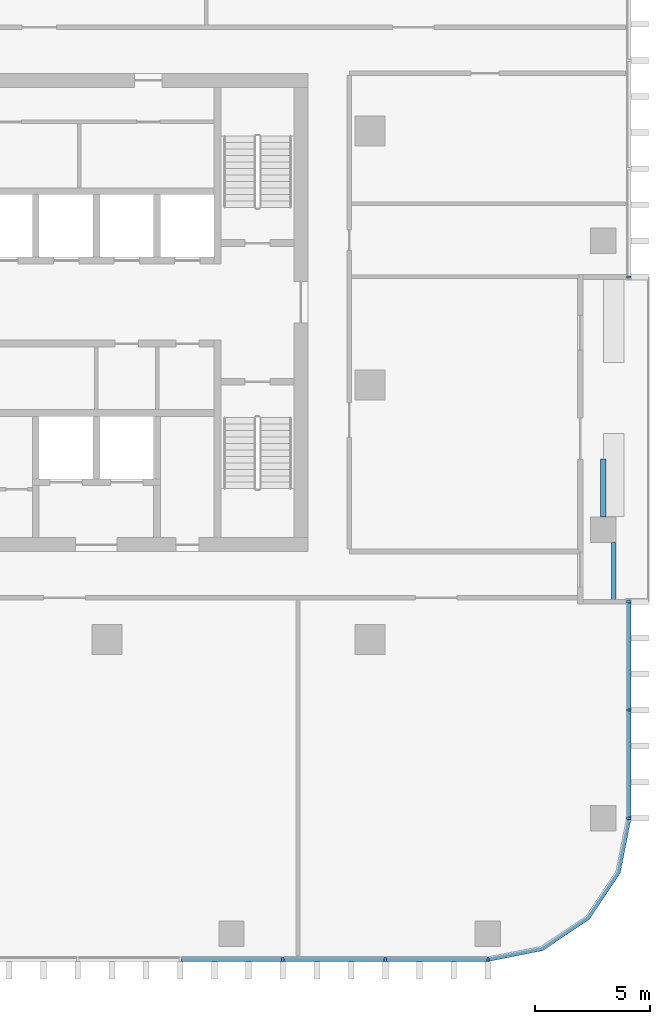
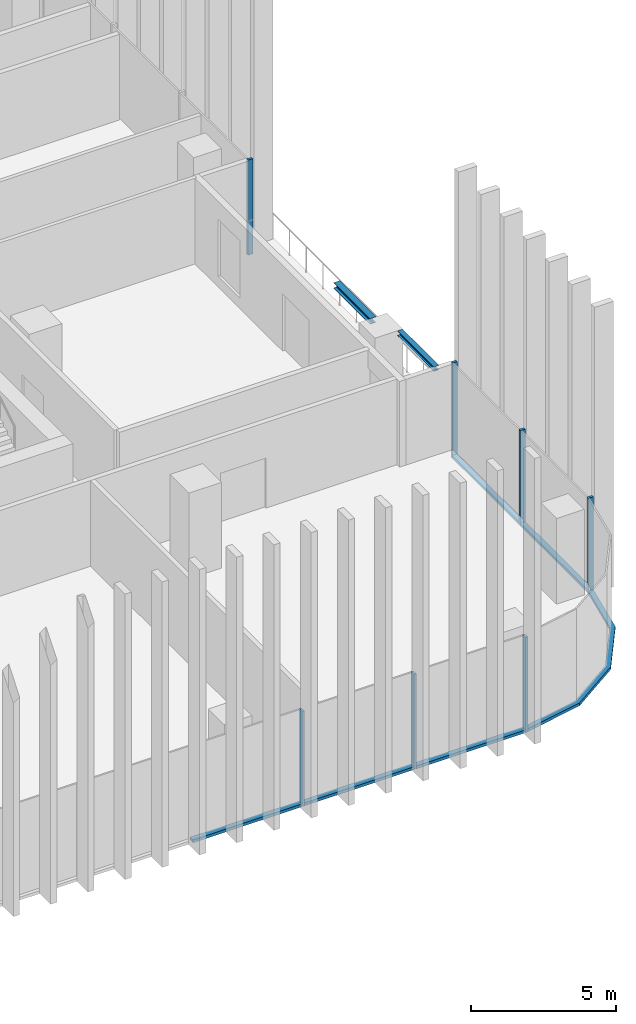
# One storey, part 3 of 15: 13 members, 2 beams, 4 elements without a shape of their own.
"""IFC4 building model written with IfcOpenShell, lengths in metres."""

from ifc_helpers import new_model, si_unit, direction, frame, origin, origin_2d, place, context, subcontext, project, spatial, polyline, rectangle, i_section, outline, extrude, material, material_profile, profile_set, type_object, element, aggregate, save


model = new_model("IFC4")

# Units and contexts
model_context = context("Model", 3, precision=1e-05, world=origin(), true_north=direction((0.0, 1.0)))
body_context = subcontext(model_context, "Body", "Model", "MODEL_VIEW")
ifc_project = project(units=[si_unit("LENGTHUNIT", "METRE"), si_unit("AREAUNIT", "SQUARE_METRE"), si_unit("VOLUMEUNIT", "CUBIC_METRE"), si_unit("PLANEANGLEUNIT", "RADIAN"), si_unit("MASSUNIT", "GRAM", prefix="KILO")], contexts=[model_context])

# Site, building, storey
site_placement = place(None, origin())
site = spatial("IfcSite", under=ifc_project, at=site_placement, CompositionType="ELEMENT")
building_placement = place(site_placement, origin())
building = spatial("IfcBuilding", under=site, at=building_placement, Name="Mopane Tessera Tower", CompositionType="ELEMENT")
storey_placement = place(building_placement, frame((0.0, 0.0, 223.0)))
storey = spatial("IfcBuildingStorey", under=building, at=storey_placement, Name="L47", CompositionType="ELEMENT", Elevation=223.0)

# Curtain wall, members
ifc_material_1 = material(Name="Aluminium frame", Category="aluminium")
curtain_wall_type = type_object("IfcCurtainWallType", Name="Unitised curtain wall", PredefinedType="NOTDEFINED", material=ifc_material_1)
curtain_wall_1_placement = place(storey_placement, origin())
curtain_wall_1 = element("IfcCurtainWall", 1, at=curtain_wall_1_placement, inside=storey, type_object=curtain_wall_type, Name="e:cw:L47:S:4", PredefinedType="NOTDEFINED")
ifc_material_2 = material(Name="Aluminium frame", Category="aluminium")
ifc_material_profile_1 = material_profile(ifc_material_2, rectangle(XDim=0.10009765625, YDim=0.199951171875, at=origin_2d()))
ifc_profile_set_1 = profile_set([ifc_material_profile_1], Name="Aluminium frame")
member_type_1 = type_object("IfcMemberType", Name="Aluminium mullion 100 x 200", PredefinedType="MULLION", material=ifc_profile_set_1)
member_1_placement = place(storey_placement, frame((13.320068359375, -24.85009765625, -0.39990234375), z_axis=(0.0, 0.0, 1.0), x_axis=(1.0, 0.0, 0.0)))
member_1 = element("IfcMember", 2, at=member_1_placement, type_object=member_type_1, Name="e:cw:L47:S:4:mu8", PredefinedType="MULLION", context=body_context, shape_type="SweptSolid", body=[
    extrude(rectangle(XDim=0.10009765625, YDim=0.199951171875, at=origin_2d()), origin(), (0.0, 0.0, 1.0), 4.0),
])
member_2_placement = place(storey_placement, frame((17.760009765625, -24.85009765625, -0.39990234375), z_axis=(0.0, 0.0, 1.0), x_axis=(1.0, 0.0, 0.0)))
member_2 = element("IfcMember", 3, at=member_2_placement, type_object=member_type_1, Name="e:cw:L47:S:4:mu9", PredefinedType="MULLION", context=body_context, shape_type="SweptSolid", body=[
    extrude(rectangle(XDim=0.10009765625, YDim=0.199951171875, at=origin_2d()), origin(), (0.0, 0.0, 1.0), 4.0),
])
member_3_placement = place(storey_placement, frame((22.199951171875, -24.85009765625, -0.39990234375), z_axis=(0.0, 0.0, 1.0), x_axis=(1.0, 0.0, 0.0)))
member_3 = element("IfcMember", 4, at=member_3_placement, type_object=member_type_1, Name="e:cw:L47:S:4:mu10", PredefinedType="MULLION", context=body_context, shape_type="SweptSolid", body=[
    extrude(rectangle(XDim=0.10009765625, YDim=0.199951171875, at=origin_2d()), origin(), (0.0, 0.0, 1.0), 4.0),
])

curtain_wall_2_placement = place(storey_placement, origin())
curtain_wall_2 = element("IfcCurtainWall", 5, at=curtain_wall_2_placement, inside=storey, type_object=curtain_wall_type, Name="e:cw:L47:E:0", PredefinedType="NOTDEFINED")
member_4_placement = place(storey_placement, frame((28.300048828125, -18.75, -0.39990234375), z_axis=(0.0, 0.0, 1.0), x_axis=(0.0, 1.0, 0.0)))
member_4 = element("IfcMember", 6, at=member_4_placement, type_object=member_type_1, Name="e:cw:L47:E:0:mu0", PredefinedType="MULLION", context=body_context, shape_type="SweptSolid", body=[
    extrude(rectangle(XDim=0.10009765625, YDim=0.199951171875, at=origin_2d()), origin(), (0.0, 0.0, 1.0), 4.0),
])
member_5_placement = place(storey_placement, frame((28.300048828125, -14.0625, -0.39990234375), z_axis=(0.0, 0.0, 1.0), x_axis=(0.0, 1.0, 0.0)))
member_5 = element("IfcMember", 7, at=member_5_placement, type_object=member_type_1, Name="e:cw:L47:E:0:mu1", PredefinedType="MULLION", context=body_context, shape_type="SweptSolid", body=[
    extrude(rectangle(XDim=0.10009765625, YDim=0.199951171875, at=origin_2d()), origin(), (0.0, 0.0, 1.0), 4.0),
])
member_6_placement = place(storey_placement, frame((28.300048828125, -9.375, -0.39990234375), z_axis=(0.0, 0.0, 1.0), x_axis=(0.0, 1.0, 0.0)))
member_6 = element("IfcMember", 8, at=member_6_placement, type_object=member_type_1, Name="e:cw:L47:E:0:mu2", PredefinedType="MULLION", context=body_context, shape_type="SweptSolid", body=[
    extrude(rectangle(XDim=0.10009765625, YDim=0.199951171875, at=origin_2d()), origin(), (0.0, 0.0, 1.0), 4.0),
])

# Curtain wall, member
curtain_wall_3_placement = place(storey_placement, origin())
curtain_wall_3 = element("IfcCurtainWall", 9, at=curtain_wall_3_placement, inside=storey, type_object=curtain_wall_type, Name="e:cw:L47:E:5", PredefinedType="NOTDEFINED")
member_7_placement = place(storey_placement, frame((28.300048828125, 4.6875, -0.39990234375), z_axis=(0.0, 0.0, 1.0), x_axis=(0.0, 1.0, 0.0)))
member_7 = element("IfcMember", 10, at=member_7_placement, type_object=member_type_1, Name="e:cw:L47:E:5:mu5", PredefinedType="MULLION", context=body_context, shape_type="SweptSolid", body=[
    extrude(rectangle(XDim=0.10009765625, YDim=0.199951171875, at=origin_2d()), origin(), (0.0, 0.0, 1.0), 4.0),
])
aggregate(curtain_wall_3, [member_7])

# Member
ifc_material_3 = material(Name="Aluminium frame", Category="aluminium")
ifc_material_profile_2 = material_profile(ifc_material_3, rectangle(XDim=0.199951171875, YDim=0.1201171875, at=origin_2d()))
ifc_profile_set_2 = profile_set([ifc_material_profile_2], Name="Aluminium frame")
member_type_2 = type_object("IfcMemberType", Name="Aluminium transom 200 x 120", PredefinedType="USERDEFINED", material=ifc_profile_set_2)
member_8_placement = place(storey_placement, frame((8.929931640625, -24.85009765625, -0.340087890625), z_axis=(1.0, 0.0, 0.0), x_axis=(0.0, 1.0, 0.0)))
member_8 = element("IfcMember", 11, at=member_8_placement, type_object=member_type_2, Name="e:cw:L47:S:4:tr7", ObjectType="TRANSOM", PredefinedType="USERDEFINED", context=body_context, shape_type="SweptSolid", body=[
    extrude(rectangle(XDim=0.199951171875, YDim=0.1201171875, at=origin_2d()), origin(), (0.0, 0.0, 1.0), 4.340087890625),
])

member_9_placement = place(storey_placement, frame((13.3701171875, -24.85009765625, -0.340087890625), z_axis=(1.0, 0.0, 0.0), x_axis=(0.0, 1.0, 0.0)))
member_9 = element("IfcMember", 12, at=member_9_placement, type_object=member_type_2, Name="e:cw:L47:S:4:tr8", ObjectType="TRANSOM", PredefinedType="USERDEFINED", context=body_context, shape_type="SweptSolid", body=[
    extrude(rectangle(XDim=0.199951171875, YDim=0.1201171875, at=origin_2d()), origin(), (0.0, 0.0, 1.0), 4.33984375),
])

member_10_placement = place(storey_placement, frame((17.81005859375, -24.85009765625, -0.340087890625), z_axis=(1.0, 0.0, 0.0), x_axis=(0.0, 1.0, 0.0)))
member_10 = element("IfcMember", 13, at=member_10_placement, type_object=member_type_2, Name="e:cw:L47:S:4:tr9", ObjectType="TRANSOM", PredefinedType="USERDEFINED", context=body_context, shape_type="SweptSolid", body=[
    extrude(rectangle(XDim=0.199951171875, YDim=0.1201171875, at=origin_2d()), origin(), (0.0, 0.0, 1.0), 4.33984375),
])

aggregate(curtain_wall_1, [member_1, member_2, member_3, member_8, member_9, member_10])

# Curtain wall, member
curtain_wall_4_placement = place(storey_placement, origin())
curtain_wall_4 = element("IfcCurtainWall", 14, at=curtain_wall_4_placement, inside=storey, type_object=curtain_wall_type, Name="e:cw:L47:CS", PredefinedType="NOTDEFINED")
member_11_placement = place(storey_placement, frame((0.0, 0.0, -0.39990234375)))
member_11 = element("IfcMember", 15, at=member_11_placement, type_object=member_type_2, Name="e:cw:L47:CS:tr", ObjectType="TRANSOM", PredefinedType="USERDEFINED", context=body_context, shape_type="SweptSolid", body=[
    extrude(outline(polyline([(22.199951171875, -24.75), (24.49609375, -24.293212890625), (26.442626953125, -22.99267578125), (27.7431640625, -21.046142578125), (28.199951171875, -18.75), (28.39990234375, -18.75), (27.927978515625, -21.12255859375), (26.583984375, -23.134033203125), (24.57275390625, -24.47802734375), (22.199951171875, -24.949951171875), (22.199951171875, -24.75)])), origin(), (0.0, 0.0, 1.0), 0.119873046875),
])
aggregate(curtain_wall_4, [member_11])

# Member
member_12_placement = place(storey_placement, frame((28.300048828125, -18.699951171875, -0.340087890625), z_axis=(0.0, 1.0, 0.0), x_axis=(-1.0, 0.0, 0.0)))
member_12 = element("IfcMember", 16, at=member_12_placement, type_object=member_type_2, Name="e:cw:L47:E:0:tr0", ObjectType="TRANSOM", PredefinedType="USERDEFINED", context=body_context, shape_type="SweptSolid", body=[
    extrude(rectangle(XDim=0.199951171875, YDim=0.1201171875, at=origin_2d()), origin(), (0.0, 0.0, 1.0), 4.58740234375),
])

member_13_placement = place(storey_placement, frame((28.300048828125, -14.012451171875, -0.340087890625), z_axis=(0.0, 1.0, 0.0), x_axis=(-1.0, 0.0, 0.0)))
member_13 = element("IfcMember", 17, at=member_13_placement, type_object=member_type_2, Name="e:cw:L47:E:0:tr1", ObjectType="TRANSOM", PredefinedType="USERDEFINED", context=body_context, shape_type="SweptSolid", body=[
    extrude(rectangle(XDim=0.199951171875, YDim=0.1201171875, at=origin_2d()), origin(), (0.0, 0.0, 1.0), 4.58740234375),
])

aggregate(curtain_wall_2, [member_4, member_5, member_6, member_12, member_13])

# Beams
ifc_material_4 = material(Name="Structural steel S460", Category="steel")
ifc_material_profile_3 = material_profile(ifc_material_4, i_section(OverallWidth=0.239990234375, OverallDepth=0.239990234375, WebThickness=0.010009765625, FlangeThickness=0.01708984375, FilletRadius=0.02099609375, at=origin_2d()))
ifc_profile_set_3 = profile_set([ifc_material_profile_3], Name="Structural steel S460")
beam_type_1 = type_object("IfcBeamType", Name="Terrace spandrel beam HE 240 B", PredefinedType="SPANDREL", material=ifc_profile_set_3)
beam_1_placement = place(storey_placement, frame((27.199951171875, -5.697021484375, 3.47998046875), z_axis=(0.0, 1.0, 0.0), x_axis=(-1.0, 0.0, 0.0)))
element("IfcBeam", 18, at=beam_1_placement, inside=storey, type_object=beam_type_1, Name="Terrace spandrel beam N2 L48", PredefinedType="SPANDREL", context=body_context, shape_type="SweptSolid", body=[
    extrude(i_section(OverallWidth=0.239990234375, OverallDepth=0.239990234375, WebThickness=0.010009765625, FlangeThickness=0.01708984375, FilletRadius=0.02099609375, at=origin_2d()), origin(), (0.0, 0.0, 1.0), 2.5),
])
ifc_material_5 = material(Name="Structural steel S460", Category="steel")
ifc_material_profile_4 = material_profile(ifc_material_5, i_section(OverallWidth=0.199951171875, OverallDepth=0.199951171875, WebThickness=0.009033203125, FlangeThickness=0.014892578125, FilletRadius=0.01806640625, at=origin_2d()))
ifc_profile_set_4 = profile_set([ifc_material_profile_4], Name="Structural steel S460")
beam_type_2 = type_object("IfcBeamType", Name="Terrace trimmer beam HE 200 B", PredefinedType="BEAM", material=ifc_profile_set_4)
beam_2_placement = place(storey_placement, frame((27.639892578125, -6.802978515625, 3.5), z_axis=(0.0, -1.0, 0.0), x_axis=(1.0, 0.0, 0.0)))
element("IfcBeam", 19, at=beam_2_placement, inside=storey, type_object=beam_type_2, Name="Terrace trimmer beam N2 L48", PredefinedType="BEAM", context=body_context, shape_type="SweptSolid", body=[
    extrude(i_section(OverallWidth=0.199951171875, OverallDepth=0.199951171875, WebThickness=0.009033203125, FlangeThickness=0.014892578125, FilletRadius=0.01806640625, at=origin_2d()), origin(), (0.0, 0.0, 1.0), 2.5),
])

save(model, "model.ifc")
